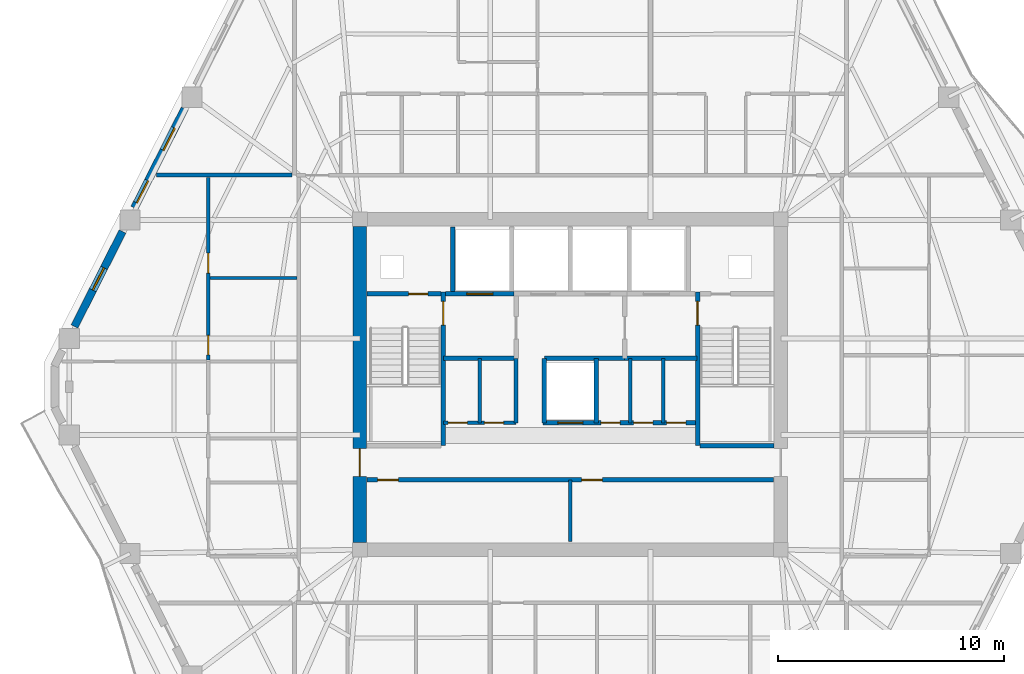
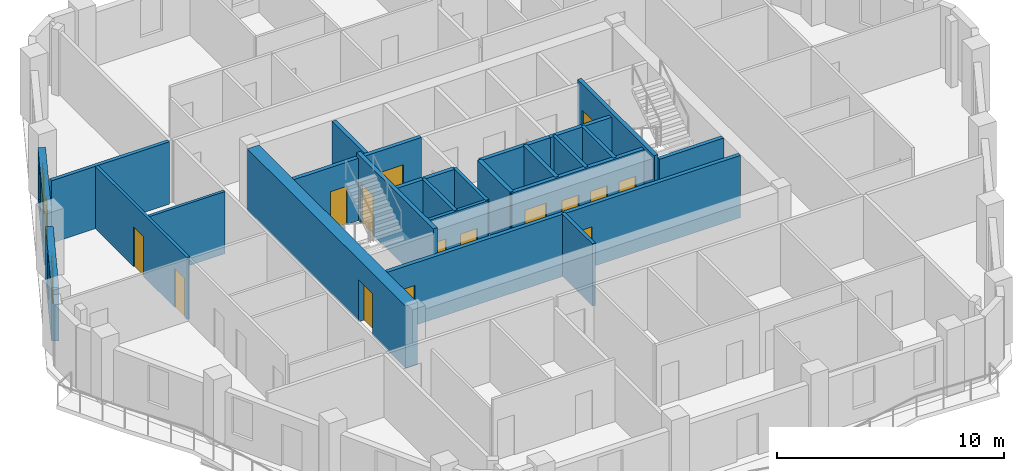
# One storey, part 5 of 11: 25 walls, 15 doors, 3 windows, 18 openings.
"""IFC4 building model written with IfcOpenShell, lengths in metres."""

from ifc_helpers import new_model, si_unit, direction, frame, frame_2d, origin, place, context, subcontext, project, spatial, rectangle, extrude, material, layer, layer_set, type_object, element, fill, save


model = new_model("IFC4")

# Units and contexts
model_context = context("Model", 3, precision=1e-05, world=origin(), true_north=direction((0.0, 1.0)))
body_context = subcontext(model_context, "Body", "Model", "MODEL_VIEW")
ifc_project = project(units=[si_unit("LENGTHUNIT", "METRE"), si_unit("AREAUNIT", "SQUARE_METRE"), si_unit("VOLUMEUNIT", "CUBIC_METRE"), si_unit("PLANEANGLEUNIT", "RADIAN"), si_unit("MASSUNIT", "GRAM", prefix="KILO")], contexts=[model_context])

# Site, building, storey
site_placement = place(None, origin())
site = spatial("IfcSite", under=ifc_project, at=site_placement, CompositionType="ELEMENT")
building_placement = place(site_placement, origin())
building = spatial("IfcBuilding", under=site, at=building_placement, Name="Cinnabar Lancet Tower", CompositionType="ELEMENT")
storey_placement = place(building_placement, frame((0.0, 0.0, 179.0)))
storey = spatial("IfcBuildingStorey", under=building, at=storey_placement, Name="L47", CompositionType="ELEMENT", Elevation=179.0)

# Wall, openings, doors
ifc_material_1 = material(Name="Acoustic twin-stud gypsum partition", Category="gypsum")
ifc_layer_1 = layer(ifc_material_1, 0.159912109375)
ifc_layer_set_1 = layer_set([ifc_layer_1], Name="Acoustic twin-stud gypsum partition")
wall_type_1 = type_object("IfcWallType", Name="ARC-WL-CORR-160", PredefinedType="PARTITIONING", material=ifc_layer_set_1)
wall_1_placement = place(storey_placement, frame((26.800048828125, 24.199951171875, 0.0), z_axis=(0.0, 0.0, 1.0), x_axis=(1.0, 0.0, 0.0)))
wall_1 = element("IfcWall", 1, at=wall_1_placement, inside=storey, type_object=wall_type_1, Name="CW-REC5S-L47", PredefinedType="PARTITIONING", context=body_context, shape_type="SweptSolid", body=[
    extrude(rectangle(XDim=3.199951171875, YDim=0.159912109375, at=frame_2d((1.60009765625, 0.0))), origin(), (0.0, 0.0, 1.0), 3.35009765625),
])
opening_1_placement = place(wall_1_placement, frame((0.199951171875, 0.0, 0.0)))
opening_1 = element("IfcOpeningElement", 2, at=opening_1_placement, cuts=wall_1, Name="Opening PD-02", PredefinedType="OPENING", context=body_context, shape_type="SweptSolid", body=[
    extrude(rectangle(XDim=0.85009765625, YDim=2.050048828125, at=frame_2d((0.425048828125, 1.02490234375))), frame((0.0, 0.08984375, 0.0), z_axis=(0.0, -1.0, 0.0), x_axis=(1.0, 0.0, 0.0)), (0.0, 0.0, 1.0), 0.179931640625),
])
opening_2_placement = place(wall_1_placement, frame((1.800048828125, 0.0, 0.0)))
opening_2 = element("IfcOpeningElement", 3, at=opening_2_placement, cuts=wall_1, Name="Opening PD-02", PredefinedType="OPENING", context=body_context, shape_type="SweptSolid", body=[
    extrude(rectangle(XDim=0.85009765625, YDim=2.050048828125, at=frame_2d((0.425048828125, 1.02490234375))), frame((0.0, 0.08984375, 0.0), z_axis=(0.0, -1.0, 0.0), x_axis=(1.0, 0.0, 0.0)), (0.0, 0.0, 1.0), 0.179931640625),
])
ifc_material_2 = material(Name="Fire-rated steel riser access door", Category="steel")
door_type_1 = type_object("IfcDoorType", Name="ARC-DR-RISER", OperationType="NOTDEFINED", PredefinedType="DOOR", material=ifc_material_2)
door_1_placement = place(opening_1_placement, origin())
door_1 = element("IfcDoor", 4, at=door_1_placement, inside=storey, type_object=door_type_1, Name="DR-L47-REC5A", OperationType="SINGLE_SWING_LEFT", OverallHeight=2.050048828125, OverallWidth=0.85009765625, PredefinedType="DOOR", context=body_context, shape_type="SweptSolid", body=[
    extrude(rectangle(XDim=0.85009765625, YDim=2.050048828125, at=frame_2d((0.425048828125, 1.02490234375))), frame((0.0, 0.02490234375, 0.0), z_axis=(0.0, -1.0, 0.0), x_axis=(1.0, 0.0, 0.0)), (0.0, 0.0, 1.0), 0.050048828125),
])
fill(opening_1, door_1)
door_2_placement = place(opening_2_placement, origin())
door_2 = element("IfcDoor", 5, at=door_2_placement, inside=storey, type_object=door_type_1, Name="DR-L47-REC5B", OperationType="SINGLE_SWING_RIGHT", OverallHeight=2.050048828125, OverallWidth=0.85009765625, PredefinedType="DOOR", context=body_context, shape_type="SweptSolid", body=[
    extrude(rectangle(XDim=0.85009765625, YDim=2.050048828125, at=frame_2d((0.425048828125, 1.02490234375))), frame((0.0, 0.02490234375, 0.0), z_axis=(0.0, -1.0, 0.0), x_axis=(1.0, 0.0, 0.0)), (0.0, 0.0, 1.0), 0.050048828125),
])
fill(opening_2, door_2)

# Walls
for number, where, z_axis, x_axis, name in (
    (6, (30.0, 24.199951171875, 0.0), (0.0, 0.0, 1.0), (0.0, 1.0, 0.0), "CW-REC5E-L47"),
    (7, (28.39990234375, 24.199951171875, 0.0), (0.0, 0.0, 1.0), (0.0, 1.0, 0.0), "CW-REC5D0-L47"),
    (8, (35.050048828125, 24.199951171875, 0.0), (0.0, 0.0, 1.0), (0.0, 1.0, 0.0), "CW-REC6D1-L47"),
    (9, (36.5, 24.199951171875, 0.0), (0.0, 0.0, 1.0), (0.0, 1.0, 0.0), "CW-REC6D2-L47"),
):
    element("IfcWall", number, at=place(storey_placement, frame(where, z_axis=z_axis, x_axis=x_axis)), inside=storey, type_object=wall_type_1, Name=name, PredefinedType="PARTITIONING", context=body_context, shape_type="SweptSolid", body=[
        extrude(rectangle(XDim=2.85009765625, YDim=0.159912109375, at=frame_2d((1.425048828125, 0.0))), origin(), (0.0, 0.0, 1.0), 3.35009765625),
    ])
wall_2_placement = place(storey_placement, frame((32.39990234375, 18.949951171875, 0.0), z_axis=(0.0, 0.0, 1.0), x_axis=(0.0, 1.0, 0.0)))
element("IfcWall", 10, at=wall_2_placement, inside=storey, type_object=wall_type_1, Name="CW-SB-3240-L47", PredefinedType="PARTITIONING", context=body_context, shape_type="SweptSolid", body=[
    extrude(rectangle(XDim=2.72998046875, YDim=0.159912109375, at=frame_2d((1.364990234375, 0.0))), origin(), (0.0, 0.0, 1.0), 3.35009765625),
])
ifc_material_3 = material(Name="Fire-rated twin-frame acoustic drywall", Category="gypsum")
ifc_layer_2 = layer(ifc_material_3, 0.179931640625)
ifc_layer_set_2 = layer_set([ifc_layer_2], Name="Fire-rated twin-frame acoustic drywall")
wall_type_2 = type_object("IfcWallType", Name="ARC-WL-PARTY-180", PredefinedType="PARTITIONING", material=ifc_layer_set_2)
wall_3_placement = place(storey_placement, frame((14.110107421875, 35.14990234375, 0.0), z_axis=(0.0, 0.0, 1.0), x_axis=(1.0, 0.0, 0.0)))
element("IfcWall", 11, at=wall_3_placement, inside=storey, type_object=wall_type_2, Name="PW-L47-WNB", PredefinedType="PARTITIONING", context=body_context, shape_type="SweptSolid", body=[
    extrude(rectangle(XDim=5.994873046875, YDim=0.179931640625, at=frame_2d((2.99755859375, 0.0))), origin(), (0.0, 0.0, 1.0), 3.35009765625),
])
ifc_material_4 = material(Name="Autoclaved aerated concrete blockwork", Category="masonry")
ifc_layer_3 = layer(ifc_material_4, 0.199951171875)
ifc_layer_set_3 = layer_set([ifc_layer_3], Name="Autoclaved aerated concrete blockwork")
wall_type_3 = type_object("IfcWallType", Name="ARC-WL-SHAFT-200", PredefinedType="PLUMBINGWALL", material=ifc_layer_set_3)
wall_4_placement = place(storey_placement, frame((38.125, 23.199951171875, 0.0), z_axis=(0.0, 0.0, 1.0), x_axis=(1.0, 0.0, 0.0)))
element("IfcWall", 12, at=wall_4_placement, inside=storey, type_object=wall_type_3, Name="CW-ST2S-L47", PredefinedType="PLUMBINGWALL", context=body_context, shape_type="SweptSolid", body=[
    extrude(rectangle(XDim=3.27001953125, YDim=0.199951171875, at=frame_2d((1.635009765625, 0.0))), origin(), (0.0, 0.0, 1.0), 3.35009765625),
])

# Wall, opening, door
wall_5_placement = place(storey_placement, frame((23.405029296875, 29.89990234375, 0.0), z_axis=(0.0, 0.0, 1.0), x_axis=(1.0, 0.0, 0.0)))
wall_5 = element("IfcWall", 13, at=wall_5_placement, inside=storey, type_object=wall_type_3, Name="CW-NSH-W-L47", PredefinedType="PLUMBINGWALL", context=body_context, shape_type="SweptSolid", body=[
    extrude(rectangle(XDim=3.27001953125, YDim=0.199951171875, at=frame_2d((1.635009765625, 0.0))), origin(), (0.0, 0.0, 1.0), 3.35009765625),
])
opening_3_placement = place(wall_5_placement, frame((1.85009765625, 0.0, 0.0)))
opening_3 = element("IfcOpeningElement", 14, at=opening_3_placement, cuts=wall_5, Name="Opening PD-02", PredefinedType="OPENING", context=body_context, shape_type="SweptSolid", body=[
    extrude(rectangle(XDim=0.85009765625, YDim=2.050048828125, at=frame_2d((0.425048828125, 1.02490234375))), frame((0.0, 0.10986328125, 0.0), z_axis=(0.0, -1.0, 0.0), x_axis=(1.0, 0.0, 0.0)), (0.0, 0.0, 1.0), 0.219970703125),
])
door_3_placement = place(opening_3_placement, origin())
door_3 = element("IfcDoor", 15, at=door_3_placement, inside=storey, type_object=door_type_1, Name="L47 West Riser Access Door", OperationType="SINGLE_SWING_LEFT", OverallHeight=2.050048828125, OverallWidth=0.85009765625, PredefinedType="DOOR", context=body_context, shape_type="SweptSolid", body=[
    extrude(rectangle(XDim=0.85009765625, YDim=2.050048828125, at=frame_2d((0.425048828125, 1.02490234375))), frame((0.0, 0.02490234375, 0.0), z_axis=(0.0, -1.0, 0.0), x_axis=(1.0, 0.0, 0.0)), (0.0, 0.0, 1.0), 0.050048828125),
])
fill(opening_3, door_3)

wall_6_placement = place(storey_placement, frame((26.885009765625, 29.89990234375, 0.0), z_axis=(0.0, 0.0, 1.0), x_axis=(1.0, 0.0, 0.0)))
wall_6 = element("IfcWall", 16, at=wall_6_placement, inside=storey, type_object=wall_type_3, Name="CW-FL1-L47", PredefinedType="PLUMBINGWALL", context=body_context, shape_type="SweptSolid", body=[
    extrude(rectangle(XDim=3.014892578125, YDim=0.199951171875, at=frame_2d((1.50732421875, 0.0))), origin(), (0.0, 0.0, 1.0), 3.35009765625),
])
opening_4_placement = place(wall_6_placement, frame((0.93994140625, 0.0, 0.0)))
opening_4 = element("IfcOpeningElement", 17, at=opening_4_placement, cuts=wall_6, Name="Opening LD-02", PredefinedType="OPENING", context=body_context, shape_type="SweptSolid", body=[
    extrude(rectangle(XDim=1.14990234375, YDim=2.199951171875, at=frame_2d((0.574951171875, 1.10009765625))), frame((0.0, 0.10986328125, 0.0), z_axis=(0.0, -1.0, 0.0), x_axis=(1.0, 0.0, 0.0)), (0.0, 0.0, 1.0), 0.219970703125),
])
ifc_material_5 = material(Name="Fire-rated stainless steel firefighting lift landing door", Category="steel")
door_type_2 = type_object("IfcDoorType", Name="ARC-DR-LD-FIRE", OperationType="NOTDEFINED", PredefinedType="DOOR", material=ifc_material_5)
door_4_placement = place(opening_4_placement, origin())
door_4 = element("IfcDoor", 18, at=door_4_placement, inside=storey, type_object=door_type_2, Name="L47 Firefighting Lift FL-1 Landing Door", OperationType="DOUBLE_DOOR_SLIDING", OverallHeight=2.199951171875, OverallWidth=1.14990234375, PredefinedType="DOOR", context=body_context, shape_type="SweptSolid", body=[
    extrude(rectangle(XDim=1.14990234375, YDim=2.199951171875, at=frame_2d((0.574951171875, 1.10009765625))), frame((0.0, 0.02490234375, 0.0), z_axis=(0.0, -1.0, 0.0), x_axis=(1.0, 0.0, 0.0)), (0.0, 0.0, 1.0), 0.050048828125),
])
fill(opening_4, door_4)

# Walls
wall_7_placement = place(storey_placement, frame((27.199951171875, 30.0, 0.0), z_axis=(0.0, 0.0, 1.0), x_axis=(0.0, 1.0, 0.0)))
element("IfcWall", 19, at=wall_7_placement, inside=storey, type_object=wall_type_3, Name="CW-NSH-D1-L47", PredefinedType="PLUMBINGWALL", context=body_context, shape_type="SweptSolid", body=[
    extrude(rectangle(XDim=2.85009765625, YDim=0.199951171875, at=frame_2d((1.425048828125, 0.0))), origin(), (0.0, 0.0, 1.0), 3.35009765625),
])
for number, where, z_axis, x_axis, name in (
    (20, (26.800048828125, 27.050048828125, 0.0), (0.0, 0.0, 1.0), (1.0, 0.0, 0.0), "CW-FF1S-L47"),
    (21, (34.800048828125, 27.050048828125, 0.0), (0.0, 0.0, 1.0), (1.0, 0.0, 0.0), "CW-FF2S-L47"),
):
    element("IfcWall", number, at=place(storey_placement, frame(where, z_axis=z_axis, x_axis=x_axis)), inside=storey, type_object=wall_type_3, Name=name, PredefinedType="PLUMBINGWALL", context=body_context, shape_type="SweptSolid", body=[
        extrude(rectangle(XDim=3.199951171875, YDim=0.199951171875, at=frame_2d((1.60009765625, 0.0))), origin(), (0.0, 0.0, 1.0), 3.35009765625),
    ])

# Wall, openings, doors
wall_8_placement = place(storey_placement, frame((31.199951171875, 24.199951171875, 0.0), z_axis=(0.0, 0.0, 1.0), x_axis=(1.0, 0.0, 0.0)))
wall_8 = element("IfcWall", 22, at=wall_8_placement, inside=storey, type_object=wall_type_3, Name="CW-PL96S-L47", PredefinedType="PLUMBINGWALL", context=body_context, shape_type="SweptSolid", body=[
    extrude(rectangle(XDim=6.800048828125, YDim=0.199951171875, at=frame_2d((3.39990234375, 0.0))), origin(), (0.0, 0.0, 1.0), 3.35009765625),
])
opening_5_placement = place(wall_8_placement, frame((0.64990234375, 0.0, 0.0)))
opening_5 = element("IfcOpeningElement", 23, at=opening_5_placement, cuts=wall_8, Name="Opening LD-01", PredefinedType="OPENING", context=body_context, shape_type="SweptSolid", body=[
    extrude(rectangle(XDim=1.10009765625, YDim=2.199951171875, at=frame_2d((0.550048828125, 1.10009765625))), frame((0.0, 0.10986328125, 0.0), z_axis=(0.0, -1.0, 0.0), x_axis=(1.0, 0.0, 0.0)), (0.0, 0.0, 1.0), 0.219970703125),
])
opening_6_placement = place(wall_8_placement, frame((2.550048828125, 0.0, 0.0)))
opening_6 = element("IfcOpeningElement", 24, at=opening_6_placement, cuts=wall_8, Name="Opening PD-02", PredefinedType="OPENING", context=body_context, shape_type="SweptSolid", body=[
    extrude(rectangle(XDim=0.85009765625, YDim=2.050048828125, at=frame_2d((0.425048828125, 1.02490234375))), frame((0.0, 0.10986328125, 0.0), z_axis=(0.0, -1.0, 0.0), x_axis=(1.0, 0.0, 0.0)), (0.0, 0.0, 1.0), 0.219970703125),
])
opening_7_placement = place(wall_8_placement, frame((4.0, 0.0, 0.0)))
opening_7 = element("IfcOpeningElement", 25, at=opening_7_placement, cuts=wall_8, Name="Opening PD-02", PredefinedType="OPENING", context=body_context, shape_type="SweptSolid", body=[
    extrude(rectangle(XDim=0.85009765625, YDim=2.050048828125, at=frame_2d((0.425048828125, 1.02490234375))), frame((0.0, 0.10986328125, 0.0), z_axis=(0.0, -1.0, 0.0), x_axis=(1.0, 0.0, 0.0)), (0.0, 0.0, 1.0), 0.219970703125),
])
opening_8_placement = place(wall_8_placement, frame((5.449951171875, 0.0, 0.0)))
opening_8 = element("IfcOpeningElement", 26, at=opening_8_placement, cuts=wall_8, Name="Opening PD-02", PredefinedType="OPENING", context=body_context, shape_type="SweptSolid", body=[
    extrude(rectangle(XDim=0.85009765625, YDim=2.050048828125, at=frame_2d((0.425048828125, 1.02490234375))), frame((0.0, 0.10986328125, 0.0), z_axis=(0.0, -1.0, 0.0), x_axis=(1.0, 0.0, 0.0)), (0.0, 0.0, 1.0), 0.219970703125),
])
ifc_material_6 = material(Name="Brushed stainless steel sliding lift door", Category="steel")
door_type_3 = type_object("IfcDoorType", Name="ARC-DR-LD-PASS", OperationType="NOTDEFINED", PredefinedType="DOOR", material=ifc_material_6)
door_5_placement = place(opening_5_placement, origin())
door_5 = element("IfcDoor", 27, at=door_5_placement, inside=storey, type_object=door_type_3, Name="L47 Lift PL-9 Landing Door", OperationType="DOUBLE_DOOR_SLIDING", OverallHeight=2.199951171875, OverallWidth=1.10009765625, PredefinedType="DOOR", context=body_context, shape_type="SweptSolid", body=[
    extrude(rectangle(XDim=1.10009765625, YDim=2.199951171875, at=frame_2d((0.550048828125, 1.10009765625))), frame((0.0, 0.02490234375, 0.0), z_axis=(0.0, -1.0, 0.0), x_axis=(1.0, 0.0, 0.0)), (0.0, 0.0, 1.0), 0.050048828125),
])
fill(opening_5, door_5)
door_6_placement = place(opening_6_placement, origin())
door_6 = element("IfcDoor", 28, at=door_6_placement, inside=storey, type_object=door_type_1, Name="DR-L47-REC6A", OperationType="SINGLE_SWING_LEFT", OverallHeight=2.050048828125, OverallWidth=0.85009765625, PredefinedType="DOOR", context=body_context, shape_type="SweptSolid", body=[
    extrude(rectangle(XDim=0.85009765625, YDim=2.050048828125, at=frame_2d((0.425048828125, 1.02490234375))), frame((0.0, 0.02490234375, 0.0), z_axis=(0.0, -1.0, 0.0), x_axis=(1.0, 0.0, 0.0)), (0.0, 0.0, 1.0), 0.050048828125),
])
fill(opening_6, door_6)
door_7_placement = place(opening_7_placement, origin())
door_7 = element("IfcDoor", 29, at=door_7_placement, inside=storey, type_object=door_type_1, Name="DR-L47-REC6B", OperationType="SINGLE_SWING_RIGHT", OverallHeight=2.050048828125, OverallWidth=0.85009765625, PredefinedType="DOOR", context=body_context, shape_type="SweptSolid", body=[
    extrude(rectangle(XDim=0.85009765625, YDim=2.050048828125, at=frame_2d((0.425048828125, 1.02490234375))), frame((0.0, 0.02490234375, 0.0), z_axis=(0.0, -1.0, 0.0), x_axis=(1.0, 0.0, 0.0)), (0.0, 0.0, 1.0), 0.050048828125),
])
fill(opening_7, door_7)
door_8_placement = place(opening_8_placement, origin())
door_8 = element("IfcDoor", 30, at=door_8_placement, inside=storey, type_object=door_type_1, Name="DR-L47-REC6C", OperationType="SINGLE_SWING_LEFT", OverallHeight=2.050048828125, OverallWidth=0.85009765625, PredefinedType="DOOR", context=body_context, shape_type="SweptSolid", body=[
    extrude(rectangle(XDim=0.85009765625, YDim=2.050048828125, at=frame_2d((0.425048828125, 1.02490234375))), frame((0.0, 0.02490234375, 0.0), z_axis=(0.0, -1.0, 0.0), x_axis=(1.0, 0.0, 0.0)), (0.0, 0.0, 1.0), 0.050048828125),
])
fill(opening_8, door_8)

# Walls
for number, where, z_axis, x_axis, name in (
    (31, (31.25, 24.199951171875, 0.0), (0.0, 0.0, 1.0), (0.0, 1.0, 0.0), "CW-PL9W-L47"),
    (32, (33.550048828125, 24.199951171875, 0.0), (0.0, 0.0, 1.0), (0.0, 1.0, 0.0), "CW-PL9E-L47"),
):
    element("IfcWall", number, at=place(storey_placement, frame(where, z_axis=z_axis, x_axis=x_axis)), inside=storey, type_object=wall_type_3, Name=name, PredefinedType="PLUMBINGWALL", context=body_context, shape_type="SweptSolid", body=[
        extrude(rectangle(XDim=2.85009765625, YDim=0.199951171875, at=frame_2d((1.425048828125, 0.0))), origin(), (0.0, 0.0, 1.0), 3.35009765625),
    ])
wall_9_placement = place(storey_placement, frame((31.25, 27.050048828125, 0.0), z_axis=(0.0, 0.0, 1.0), x_axis=(1.0, 0.0, 0.0)))
element("IfcWall", 33, at=wall_9_placement, inside=storey, type_object=wall_type_3, Name="CW-PL96N-L47", PredefinedType="PLUMBINGWALL", context=body_context, shape_type="SweptSolid", body=[
    extrude(rectangle(XDim=3.550048828125, YDim=0.199951171875, at=frame_2d((1.77490234375, 0.0))), origin(), (0.0, 0.0, 1.0), 3.35009765625),
])

# Wall, openings, doors
wall_10_placement = place(storey_placement, frame((23.419921875, 21.679931640625, 0.0), z_axis=(0.0, 0.0, 1.0), x_axis=(1.0, 0.0, 0.0)))
wall_10 = element("IfcWall", 34, at=wall_10_placement, inside=storey, type_object=wall_type_3, Name="CW-SBANDN-L47", PredefinedType="PLUMBINGWALL", context=body_context, shape_type="SweptSolid", body=[
    extrude(rectangle(XDim=17.9599609375, YDim=0.199951171875, at=frame_2d((8.97998046875, 0.0))), origin(), (0.0, 0.0, 1.0), 3.35009765625),
])
opening_9_placement = place(wall_10_placement, frame((0.4599609375, 0.0, 0.0)))
opening_9 = element("IfcOpeningElement", 35, at=opening_9_placement, cuts=wall_10, Name="Opening RD-01", PredefinedType="OPENING", context=body_context, shape_type="SweptSolid", body=[
    extrude(rectangle(XDim=0.919921875, YDim=2.14990234375, at=frame_2d((0.4599609375, 1.074951171875))), frame((0.0, 0.10986328125, 0.0), z_axis=(0.0, -1.0, 0.0), x_axis=(1.0, 0.0, 0.0)), (0.0, 0.0, 1.0), 0.219970703125),
])
opening_10_placement = place(wall_10_placement, frame((9.47998046875, 0.0, 0.0)))
opening_10 = element("IfcOpeningElement", 36, at=opening_10_placement, cuts=wall_10, Name="Opening RD-01", PredefinedType="OPENING", context=body_context, shape_type="SweptSolid", body=[
    extrude(rectangle(XDim=0.919921875, YDim=2.14990234375, at=frame_2d((0.4599609375, 1.074951171875))), frame((0.0, 0.10986328125, 0.0), z_axis=(0.0, -1.0, 0.0), x_axis=(1.0, 0.0, 0.0)), (0.0, 0.0, 1.0), 0.219970703125),
])
ifc_material_7 = material(Name="Engineered timber bedroom door", Category="wood")
door_type_4 = type_object("IfcDoorType", Name="ARC-DR-ROOM", OperationType="NOTDEFINED", PredefinedType="DOOR", material=ifc_material_7)
door_9_placement = place(opening_9_placement, origin())
door_9 = element("IfcDoor", 37, at=door_9_placement, inside=storey, type_object=door_type_4, Name="DR-L47-HREC1", OperationType="SINGLE_SWING_LEFT", OverallHeight=2.14990234375, OverallWidth=0.919921875, PredefinedType="DOOR", context=body_context, shape_type="SweptSolid", body=[
    extrude(rectangle(XDim=0.919921875, YDim=2.14990234375, at=frame_2d((0.4599609375, 1.074951171875))), frame((0.0, 0.02490234375, 0.0), z_axis=(0.0, -1.0, 0.0), x_axis=(1.0, 0.0, 0.0)), (0.0, 0.0, 1.0), 0.050048828125),
])
fill(opening_9, door_9)
door_10_placement = place(opening_10_placement, origin())
door_10 = element("IfcDoor", 38, at=door_10_placement, inside=storey, type_object=door_type_4, Name="DR-L47-HREC2", OperationType="SINGLE_SWING_RIGHT", OverallHeight=2.14990234375, OverallWidth=0.919921875, PredefinedType="DOOR", context=body_context, shape_type="SweptSolid", body=[
    extrude(rectangle(XDim=0.919921875, YDim=2.14990234375, at=frame_2d((0.4599609375, 1.074951171875))), frame((0.0, 0.02490234375, 0.0), z_axis=(0.0, -1.0, 0.0), x_axis=(1.0, 0.0, 0.0)), (0.0, 0.0, 1.0), 0.050048828125),
])
fill(opening_10, door_10)

ifc_material_8 = material(Name="Moisture-resistant cement-board plumbing wall", Category="masonry")
ifc_layer_4 = layer(ifc_material_8, 0.139892578125)
ifc_layer_set_4 = layer_set([ifc_layer_4], Name="Moisture-resistant cement-board plumbing wall")
wall_type_4 = type_object("IfcWallType", Name="ARC-WL-WET-140", PredefinedType="PLUMBINGWALL", material=ifc_layer_set_4)
wall_11_placement = place(storey_placement, frame((16.39990234375, 26.987060546875, 0.0), z_axis=(0.0, 0.0, 1.0), x_axis=(0.0, 1.0, 0.0)))
wall_11 = element("IfcWall", 39, at=wall_11_placement, inside=storey, type_object=wall_type_4, Name="UW-L47-W01-SPM", PredefinedType="PLUMBINGWALL", context=body_context, shape_type="SweptSolid", body=[
    extrude(rectangle(XDim=8.06787109375, YDim=0.139892578125, at=frame_2d((4.033935546875, 0.0))), origin(), (0.0, 0.0, 1.0), 3.35009765625),
])
opening_11_placement = place(wall_11_placement, frame((0.219970703125, 0.0, 0.0)))
opening_11 = element("IfcOpeningElement", 40, at=opening_11_placement, cuts=wall_11, Name="Opening BD-01", PredefinedType="OPENING", context=body_context, shape_type="SweptSolid", body=[
    extrude(rectangle(XDim=0.860107421875, YDim=2.10009765625, at=frame_2d((0.43017578125, 1.050048828125))), frame((0.0, 0.079833984375, 0.0), z_axis=(0.0, -1.0, 0.0), x_axis=(1.0, 0.0, 0.0)), (0.0, 0.0, 1.0), 0.159912109375),
])
opening_12_placement = place(wall_11_placement, frame((3.8330078125, 0.0, 0.0)))
opening_12 = element("IfcOpeningElement", 41, at=opening_12_placement, cuts=wall_11, Name="Opening RD-02", PredefinedType="OPENING", context=body_context, shape_type="SweptSolid", body=[
    extrude(rectangle(XDim=0.8798828125, YDim=2.14990234375, at=frame_2d((0.43994140625, 1.074951171875))), frame((0.0, 0.079833984375, 0.0), z_axis=(0.0, -1.0, 0.0), x_axis=(1.0, 0.0, 0.0)), (0.0, 0.0, 1.0), 0.159912109375),
])
ifc_material_9 = material(Name="Moisture-resistant timber bathroom door", Category="wood")
door_type_5 = type_object("IfcDoorType", Name="ARC-DR-BATH", OperationType="NOTDEFINED", PredefinedType="DOOR", material=ifc_material_9)
door_11_placement = place(opening_11_placement, origin())
door_11 = element("IfcDoor", 42, at=door_11_placement, inside=storey, type_object=door_type_5, Name="DR-L47-W01-ENS", OperationType="SINGLE_SWING_RIGHT", OverallHeight=2.10009765625, OverallWidth=0.860107421875, PredefinedType="DOOR", context=body_context, shape_type="SweptSolid", body=[
    extrude(rectangle(XDim=0.860107421875, YDim=2.10009765625, at=frame_2d((0.43017578125, 1.050048828125))), frame((0.0, 0.02490234375, 0.0), z_axis=(0.0, -1.0, 0.0), x_axis=(1.0, 0.0, 0.0)), (0.0, 0.0, 1.0), 0.050048828125),
])
fill(opening_11, door_11)
ifc_material_10 = material(Name="Engineered timber study door", Category="wood")
door_type_6 = type_object("IfcDoorType", Name="ARC-DR-STUDY", OperationType="NOTDEFINED", PredefinedType="DOOR", material=ifc_material_10)
door_12_placement = place(opening_12_placement, origin())
door_12 = element("IfcDoor", 43, at=door_12_placement, inside=storey, type_object=door_type_6, Name="DR-L47-W01-EWDR", OperationType="SINGLE_SWING_LEFT", OverallHeight=2.14990234375, OverallWidth=0.8798828125, PredefinedType="DOOR", context=body_context, shape_type="SweptSolid", body=[
    extrude(rectangle(XDim=0.8798828125, YDim=2.14990234375, at=frame_2d((0.43994140625, 1.074951171875))), frame((0.0, 0.02490234375, 0.0), z_axis=(0.0, -1.0, 0.0), x_axis=(1.0, 0.0, 0.0)), (0.0, 0.0, 1.0), 0.050048828125),
])
fill(opening_12, door_12)

# Wall
wall_12_placement = place(storey_placement, frame((16.485107421875, 30.60009765625, 0.0), z_axis=(0.0, 0.0, 1.0), x_axis=(1.0, 0.0, 0.0)))
element("IfcWall", 44, at=wall_12_placement, inside=storey, type_object=wall_type_4, Name="UW-L47-W01-EWDV", PredefinedType="PLUMBINGWALL", context=body_context, shape_type="SweptSolid", body=[
    extrude(rectangle(XDim=3.829833984375, YDim=0.139892578125, at=frame_2d((1.9150390625, 0.0))), origin(), (0.0, 0.0, 1.0), 3.35009765625),
])

# Wall, openings, windows
ifc_material_11 = material(Name="Cinnabar red clay brick", Category="masonry")
ifc_layer_5 = layer(ifc_material_11, 0.340087890625)
ifc_layer_set_5 = layer_set([ifc_layer_5], Name="Cinnabar red clay brick")
wall_type_5 = type_object("IfcWallType", Name="ENV-WL-BRK-RED-340", PredefinedType="STANDARD", material=ifc_layer_set_5)
wall_13_placement = place(storey_placement, frame((15.35205078125, 38.0830078125, 0.0), z_axis=(0.0, 0.0, 1.0), x_axis=(-0.451524246964, -0.89225884944, 0.0)))
wall_13 = element("IfcWall", 45, at=wall_13_placement, inside=storey, type_object=wall_type_5, Name="L47 Face 5 Masonry Bay Wall 3", PredefinedType="STANDARD", context=body_context, shape_type="SweptSolid", body=[
    extrude(rectangle(XDim=4.91015625, YDim=0.340087890625, at=frame_2d((2.455078125, 0.0))), origin(), (0.0, 0.0, 1.0), 2.883056640625),
])
opening_13_placement = place(wall_13_placement, frame((0.962890625, 0.0, 0.75)))
opening_13 = element("IfcOpeningElement", 46, at=opening_13_placement, cuts=wall_13, Name="Opening WN-04", PredefinedType="OPENING", context=body_context, shape_type="SweptSolid", body=[
    extrude(rectangle(XDim=1.10009765625, YDim=1.98291015625, at=frame_2d((0.550048828125, 0.991455078125))), frame((0.0, 0.179931640625, 0.0), z_axis=(0.0, -1.0, 0.0), x_axis=(1.0, 0.0, 0.0)), (0.0, 0.0, 1.0), 0.360107421875),
])
opening_14_placement = place(wall_13_placement, frame((3.569091796875, 0.0, 0.75)))
opening_14 = element("IfcOpeningElement", 47, at=opening_14_placement, cuts=wall_13, Name="Opening WN-04", PredefinedType="OPENING", context=body_context, shape_type="SweptSolid", body=[
    extrude(rectangle(XDim=1.10009765625, YDim=1.98291015625, at=frame_2d((0.550048828125, 0.991455078125))), frame((0.0, 0.179931640625, 0.0), z_axis=(0.0, -1.0, 0.0), x_axis=(1.0, 0.0, 0.0)), (0.0, 0.0, 1.0), 0.360107421875),
])
ifc_material_12 = material(Name="Thermally broken bronze-anodized aluminium tall lancet window", Category="aluminium")
window_type = type_object("IfcWindowType", Name="ENV-WN-LANCET-1100", PartitioningType="SINGLE_PANEL", PredefinedType="WINDOW", material=ifc_material_12)
window_1_placement = place(opening_13_placement, origin())
window_1 = element("IfcWindow", 48, at=window_1_placement, inside=storey, type_object=window_type, Name="L47 Face 5 Gothic Lancet Window 3", OverallHeight=1.98291015625, OverallWidth=1.10009765625, PartitioningType="SINGLE_PANEL", PredefinedType="WINDOW", context=body_context, shape_type="SweptSolid", body=[
    extrude(rectangle(XDim=1.10009765625, YDim=1.98291015625, at=frame_2d((0.550048828125, 0.991455078125))), frame((0.0, 0.030029296875, 0.0), z_axis=(0.0, -1.0, 0.0), x_axis=(1.0, 0.0, 0.0)), (0.0, 0.0, 1.0), 0.06005859375),
])
fill(opening_13, window_1)
window_2_placement = place(opening_14_placement, origin())
window_2 = element("IfcWindow", 49, at=window_2_placement, inside=storey, type_object=window_type, Name="L47 Split-Bay Gothic Lancet Window 145", OverallHeight=1.98291015625, OverallWidth=1.10009765625, PartitioningType="SINGLE_PANEL", PredefinedType="WINDOW", context=body_context, shape_type="SweptSolid", body=[
    extrude(rectangle(XDim=1.10009765625, YDim=1.98291015625, at=frame_2d((0.550048828125, 0.991455078125))), frame((0.0, 0.030029296875, 0.0), z_axis=(0.0, -1.0, 0.0), x_axis=(1.0, 0.0, 0.0)), (0.0, 0.0, 1.0), 0.06005859375),
])
fill(opening_14, window_2)

# Wall, opening, window
wall_14_placement = place(storey_placement, frame((12.60693359375, 32.656982421875, 0.0), z_axis=(0.0, 0.0, 1.0), x_axis=(-0.451426298588, -0.892308409096, 0.0)))
wall_14 = element("IfcWall", 50, at=wall_14_placement, inside=storey, type_object=wall_type_5, Name="L47 Face 5 Masonry Bay Wall 4", PredefinedType="STANDARD", context=body_context, shape_type="SweptSolid", body=[
    extrude(rectangle(XDim=4.7001953125, YDim=0.340087890625, at=frame_2d((2.35009765625, 0.0))), origin(), (0.0, 0.0, 1.0), 2.883056640625),
])
opening_15_placement = place(wall_14_placement, frame((1.800048828125, 0.0, 0.75)))
opening_15 = element("IfcOpeningElement", 51, at=opening_15_placement, cuts=wall_14, Name="Opening WN-04", PredefinedType="OPENING", context=body_context, shape_type="SweptSolid", body=[
    extrude(rectangle(XDim=1.10009765625, YDim=1.98291015625, at=frame_2d((0.550048828125, 0.991455078125))), frame((0.0, 0.179931640625, 0.0), z_axis=(0.0, -1.0, 0.0), x_axis=(1.0, 0.0, 0.0)), (0.0, 0.0, 1.0), 0.360107421875),
])
window_3_placement = place(opening_15_placement, origin())
window_3 = element("IfcWindow", 52, at=window_3_placement, inside=storey, type_object=window_type, Name="L47 Face 5 Gothic Lancet Window 4", OverallHeight=1.98291015625, OverallWidth=1.10009765625, PartitioningType="SINGLE_PANEL", PredefinedType="WINDOW", context=body_context, shape_type="SweptSolid", body=[
    extrude(rectangle(XDim=1.10009765625, YDim=1.98291015625, at=frame_2d((0.550048828125, 0.991455078125))), frame((0.0, 0.030029296875, 0.0), z_axis=(0.0, -1.0, 0.0), x_axis=(1.0, 0.0, 0.0)), (0.0, 0.0, 1.0), 0.06005859375),
])
fill(opening_15, window_3)

# Wall, opening, door
ifc_material_13 = material(Name="Concrete C60/75", Category="concrete")
ifc_layer_6 = layer(ifc_material_13, 0.60009765625)
ifc_layer_set_6 = layer_set([ifc_layer_6], Name="Concrete C60/75")
wall_type_6 = type_object("IfcWallType", Name="STR-WL-CORE-600", PredefinedType="SHEAR", material=ifc_layer_set_6)
wall_15_placement = place(storey_placement, frame((23.10009765625, 18.925048828125, 0.0), z_axis=(0.0, 0.0, 1.0), x_axis=(0.0, 1.0, 0.0)))
wall_15 = element("IfcWall", 53, at=wall_15_placement, inside=storey, type_object=wall_type_6, Name="L47 Core Shear Wall W", PredefinedType="SHEAR", context=body_context, shape_type="SweptSolid", body=[
    extrude(rectangle(XDim=13.949951171875, YDim=0.60009765625, at=frame_2d((6.97509765625, 0.0))), origin(), (0.0, 0.0, 1.0), 3.35009765625),
])
opening_16_placement = place(wall_15_placement, frame((2.9150390625, 0.0, 0.0)))
opening_16 = element("IfcOpeningElement", 54, at=opening_16_placement, cuts=wall_15, Name="Opening FD-02", PredefinedType="OPENING", context=body_context, shape_type="SweptSolid", body=[
    extrude(rectangle(XDim=1.219970703125, YDim=2.25, at=frame_2d((0.60986328125, 1.125))), frame((0.0, 0.31005859375, 0.0), z_axis=(0.0, -1.0, 0.0), x_axis=(1.0, 0.0, 0.0)), (0.0, 0.0, 1.0), 0.6201171875),
])
ifc_material_14 = material(Name="Fire-rated double-vision core portal door", Category="wood")
door_type_7 = type_object("IfcDoorType", Name="ARC-DR-CPORT", OperationType="NOTDEFINED", PredefinedType="DOOR", material=ifc_material_14)
door_13_placement = place(opening_16_placement, origin())
door_13 = element("IfcDoor", 55, at=door_13_placement, inside=storey, type_object=door_type_7, Name="L47 West Core Lobby Fire Door", OperationType="SINGLE_SWING_RIGHT", OverallHeight=2.25, OverallWidth=1.219970703125, PredefinedType="DOOR", context=body_context, shape_type="SweptSolid", body=[
    extrude(rectangle(XDim=1.219970703125, YDim=2.25, at=frame_2d((0.60986328125, 1.125))), frame((0.0, 0.02490234375, 0.0), z_axis=(0.0, -1.0, 0.0), x_axis=(1.0, 0.0, 0.0)), (0.0, 0.0, 1.0), 0.050048828125),
])
fill(opening_16, door_13)

ifc_material_15 = material(Name="Concrete C50/60", Category="concrete")
ifc_layer_7 = layer(ifc_material_15, 0.199951171875)
ifc_layer_set_7 = layer_set([ifc_layer_7], Name="Concrete C50/60")
wall_type_7 = type_object("IfcWallType", Name="STR-WL-STAIR-200", PredefinedType="SHEAR", material=ifc_layer_set_7)
wall_16_placement = place(storey_placement, frame((26.780029296875, 23.199951171875, 0.0), z_axis=(0.0, 0.0, 1.0), x_axis=(0.0, 1.0, 0.0)))
wall_16 = element("IfcWall", 56, at=wall_16_placement, inside=storey, type_object=wall_type_7, Name="L47 Stair ST-1 Structural Enclosure Wall", PredefinedType="SHEAR", context=body_context, shape_type="SweptSolid", body=[
    extrude(rectangle(XDim=6.780029296875, YDim=0.199951171875, at=frame_2d((3.39013671875, 0.0))), origin(), (0.0, 0.0, 1.0), 3.550048828125),
])
opening_17_placement = place(wall_16_placement, frame((5.320068359375, 0.0, 0.0)))
opening_17 = element("IfcOpeningElement", 57, at=opening_17_placement, cuts=wall_16, Name="Opening SD-01", PredefinedType="OPENING", context=body_context, shape_type="SweptSolid", body=[
    extrude(rectangle(XDim=1.050048828125, YDim=2.14990234375, at=frame_2d((0.52490234375, 1.074951171875))), frame((0.0, 0.10986328125, 0.0), z_axis=(0.0, -1.0, 0.0), x_axis=(1.0, 0.0, 0.0)), (0.0, 0.0, 1.0), 0.219970703125),
])
ifc_material_16 = material(Name="Fire-rated steel stair exit door", Category="steel")
door_type_8 = type_object("IfcDoorType", Name="ARC-DR-STAIR", OperationType="NOTDEFINED", PredefinedType="DOOR", material=ifc_material_16)
door_14_placement = place(opening_17_placement, origin())
door_14 = element("IfcDoor", 58, at=door_14_placement, inside=storey, type_object=door_type_8, Name="L47 Stair ST-1 Fire Door", OperationType="SINGLE_SWING_LEFT", OverallHeight=2.14990234375, OverallWidth=1.050048828125, PredefinedType="DOOR", context=body_context, shape_type="SweptSolid", body=[
    extrude(rectangle(XDim=1.050048828125, YDim=2.14990234375, at=frame_2d((0.52490234375, 1.074951171875))), frame((0.0, 0.02490234375, 0.0), z_axis=(0.0, -1.0, 0.0), x_axis=(1.0, 0.0, 0.0)), (0.0, 0.0, 1.0), 0.050048828125),
])
fill(opening_17, door_14)

wall_17_placement = place(storey_placement, frame((38.02001953125, 23.199951171875, 0.0), z_axis=(0.0, 0.0, 1.0), x_axis=(0.0, 1.0, 0.0)))
wall_17 = element("IfcWall", 59, at=wall_17_placement, inside=storey, type_object=wall_type_7, Name="L47 Stair ST-2 Structural Enclosure Wall", PredefinedType="SHEAR", context=body_context, shape_type="SweptSolid", body=[
    extrude(rectangle(XDim=6.780029296875, YDim=0.199951171875, at=frame_2d((3.39013671875, 0.0))), origin(), (0.0, 0.0, 1.0), 3.550048828125),
])
opening_18_placement = place(wall_17_placement, frame((5.320068359375, 0.0, 0.0)))
opening_18 = element("IfcOpeningElement", 60, at=opening_18_placement, cuts=wall_17, Name="Opening SD-01", PredefinedType="OPENING", context=body_context, shape_type="SweptSolid", body=[
    extrude(rectangle(XDim=1.050048828125, YDim=2.14990234375, at=frame_2d((0.52490234375, 1.074951171875))), frame((0.0, 0.10986328125, 0.0), z_axis=(0.0, -1.0, 0.0), x_axis=(1.0, 0.0, 0.0)), (0.0, 0.0, 1.0), 0.219970703125),
])
door_15_placement = place(opening_18_placement, origin())
door_15 = element("IfcDoor", 61, at=door_15_placement, inside=storey, type_object=door_type_8, Name="L47 Stair ST-2 Fire Door", OperationType="SINGLE_SWING_RIGHT", OverallHeight=2.14990234375, OverallWidth=1.050048828125, PredefinedType="DOOR", context=body_context, shape_type="SweptSolid", body=[
    extrude(rectangle(XDim=1.050048828125, YDim=2.14990234375, at=frame_2d((0.52490234375, 1.074951171875))), frame((0.0, 0.02490234375, 0.0), z_axis=(0.0, -1.0, 0.0), x_axis=(1.0, 0.0, 0.0)), (0.0, 0.0, 1.0), 0.050048828125),
])
fill(opening_18, door_15)

save(model, "model.ifc")
